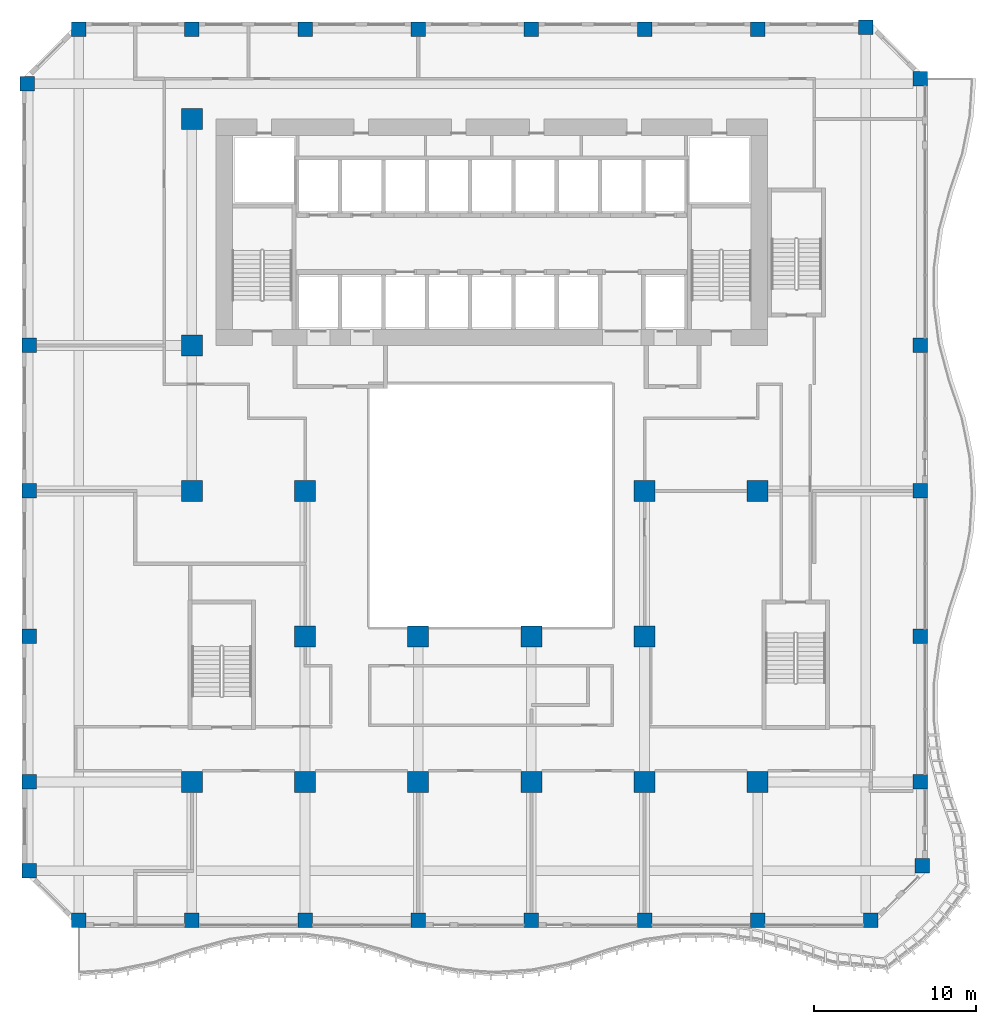
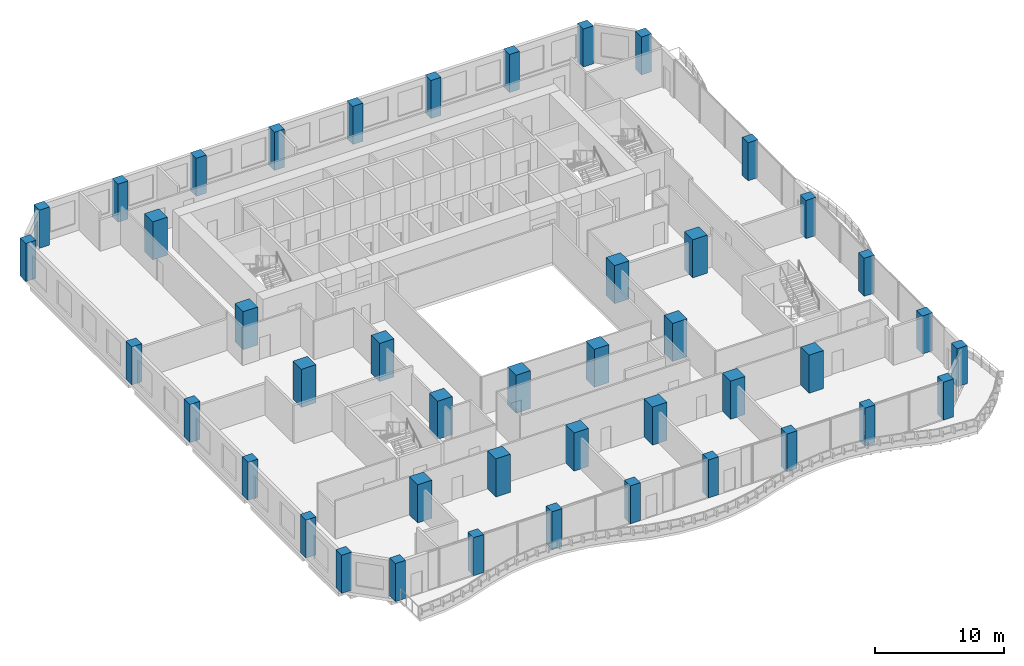
# One storey, part 1 of 23: 44 columns.
"""IFC4 building model written with IfcOpenShell, lengths in metres."""

from ifc_helpers import new_model, si_unit, direction, frame, origin, origin_2d, place, context, subcontext, project, spatial, rectangle, extrude, source, transform, mapped, material, material_profile, profile_set, type_object, element, save


model = new_model("IFC4")

# Units and contexts
model_context = context("Model", 3, precision=1e-05, world=origin(), true_north=direction((0.0, 1.0)))
body_context = subcontext(model_context, "Body", "Model", "MODEL_VIEW")
ifc_project = project(units=[si_unit("LENGTHUNIT", "METRE"), si_unit("AREAUNIT", "SQUARE_METRE"), si_unit("VOLUMEUNIT", "CUBIC_METRE"), si_unit("PLANEANGLEUNIT", "RADIAN"), si_unit("MASSUNIT", "GRAM", prefix="KILO")], contexts=[model_context])

# Site, building, storey
site_placement = place(None, origin())
site = spatial("IfcSite", under=ifc_project, at=site_placement, CompositionType="ELEMENT")
building_placement = place(site_placement, origin())
building = spatial("IfcBuilding", under=site, at=building_placement, Name="Kilnfold Tower and Market Hall", CompositionType="ELEMENT")
storey_placement = place(building_placement, frame((0.0, 0.0, 55.0)))
storey = spatial("IfcBuildingStorey", under=building, at=storey_placement, Name="L12", CompositionType="ELEMENT", Elevation=55.0)

# Columns
ifc_material_1 = material(Name="Concrete C80", Category="concrete")
ifc_material_profile_1 = material_profile(ifc_material_1, rectangle(XDim=0.89990234375, YDim=0.89990234375, at=origin_2d()), Name="RC 900x900")
ifc_profile_set_1 = profile_set([ifc_material_profile_1], Name="Concrete C80")
column_type_1 = type_object("IfcColumnType", Name="COLUMN 900X900 C80", PredefinedType="COLUMN", material=ifc_profile_set_1)
shared_shape_1 = source(origin(), body_context, "Body", "SweptSolid", [
    extrude(rectangle(XDim=0.89990234375, YDim=0.89990234375, at=origin_2d()), origin(), (0.0, 0.0, 1.0), 3.60009765625),
])
for number, where, z_axis, x_axis, name in (
    (1, (-27.681884765625, 24.181884765625, 0.0), (0.0, 0.0, 1.0), (1.0, 0.0, 0.0), "Column C-B1-1H"),
    (2, (-27.550048828125, -24.5, 0.0), (0.0, 0.0, 1.0), (1.0, 0.0, 0.0), "Column C-B1-1B"),
    (3, (-27.550048828125, -19.0, 0.0), (0.0, 0.0, 1.0), (1.0, 0.0, 0.0), "Column C-B1-1C"),
    (4, (-27.550048828125, -10.0, 0.0), (0.0, 0.0, 1.0), (1.0, 0.0, 0.0), "Column C-B1-1D"),
    (5, (-27.550048828125, -1.0, 0.0), (0.0, 0.0, 1.0), (1.0, 0.0, 0.0), "Column C-B1-1E"),
    (6, (-27.550048828125, 8.0, 0.0), (0.0, 0.0, 1.0), (1.0, 0.0, 0.0), "Column C-B1-1F"),
    (7, (-24.5, -27.550048828125, 0.0), (0.0, 0.0, 1.0), (1.0, 0.0, 0.0), "Column C-B1-2A"),
    (8, (-24.5, 27.550048828125, 0.0), (0.0, 0.0, 1.0), (1.0, 0.0, 0.0), "Column C-B1-2I"),
    (9, (-17.5, -27.550048828125, 0.0), (0.0, 0.0, 1.0), (1.0, 0.0, 0.0), "Column C-B1-3A"),
    (10, (-17.5, 27.550048828125, 0.0), (0.0, 0.0, 1.0), (1.0, 0.0, 0.0), "Column C-B1-3I"),
    (11, (-10.5, -27.550048828125, 0.0), (0.0, 0.0, 1.0), (1.0, 0.0, 0.0), "Column C-B1-4A"),
    (12, (-10.5, 27.550048828125, 0.0), (0.0, 0.0, 1.0), (1.0, 0.0, 0.0), "Column C-B1-4I"),
    (13, (-3.5, -27.550048828125, 0.0), (0.0, 0.0, 1.0), (1.0, 0.0, 0.0), "Column C-B1-5A"),
    (14, (-3.5, 27.550048828125, 0.0), (0.0, 0.0, 1.0), (1.0, 0.0, 0.0), "Column C-B1-5I"),
    (15, (3.5, -27.550048828125, 0.0), (0.0, 0.0, 1.0), (1.0, 0.0, 0.0), "Column C-B1-6A"),
    (16, (3.5, 27.550048828125, 0.0), (0.0, 0.0, 1.0), (1.0, 0.0, 0.0), "Column C-B1-6I"),
    (17, (10.5, -27.550048828125, 0.0), (0.0, 0.0, 1.0), (1.0, 0.0, 0.0), "Column C-B1-7A"),
    (18, (10.5, 27.550048828125, 0.0), (0.0, 0.0, 1.0), (1.0, 0.0, 0.0), "Column C-B1-7I"),
    (19, (17.5, -27.550048828125, 0.0), (0.0, 0.0, 1.0), (1.0, 0.0, 0.0), "Column C-B1-8A"),
    (20, (17.5, 27.550048828125, 0.0), (0.0, 0.0, 1.0), (1.0, 0.0, 0.0), "Column C-B1-8I"),
    (21, (24.181884765625, 27.681884765625, 0.0), (0.0, 0.0, 1.0), (1.0, 0.0, 0.0), "Column C-B1-9I"),
    (22, (24.5, -27.550048828125, 0.0), (0.0, 0.0, 1.0), (1.0, 0.0, 0.0), "Column C-B1-9A"),
    (23, (27.550048828125, -19.0, 0.0), (0.0, 0.0, 1.0), (1.0, 0.0, 0.0), "Column C-B1-10C"),
    (24, (27.550048828125, -10.0, 0.0), (0.0, 0.0, 1.0), (1.0, 0.0, 0.0), "Column C-B1-10D"),
    (25, (27.550048828125, -1.0, 0.0), (0.0, 0.0, 1.0), (1.0, 0.0, 0.0), "Column C-B1-10E"),
    (26, (27.550048828125, 8.0, 0.0), (0.0, 0.0, 1.0), (1.0, 0.0, 0.0), "Column C-B1-10F"),
    (27, (27.550048828125, 24.5, 0.0), (0.0, 0.0, 1.0), (1.0, 0.0, 0.0), "Column C-B1-10H"),
    (28, (27.681884765625, -24.181884765625, 0.0), (0.0, 0.0, 1.0), (1.0, 0.0, 0.0), "Column C-B1-10B"),
):
    element("IfcColumn", number, at=place(storey_placement, frame(where, z_axis=z_axis, x_axis=x_axis)), inside=storey, type_object=column_type_1, Name=name, PredefinedType="COLUMN", context=body_context, shape_type="MappedRepresentation", body=[
        mapped(shared_shape_1, transform((0.0, 0.0, 0.0))),
    ])
ifc_material_2 = material(Name="Concrete C80", Category="concrete")
ifc_material_profile_2 = material_profile(ifc_material_2, rectangle(XDim=1.300048828125, YDim=1.300048828125, at=origin_2d()), Name="RC 1300x1300")
ifc_profile_set_2 = profile_set([ifc_material_profile_2], Name="Concrete C80")
column_type_2 = type_object("IfcColumnType", Name="COLUMN 1300X1300 C80", PredefinedType="COLUMN", material=ifc_profile_set_2)
shared_shape_2 = source(origin(), body_context, "Body", "SweptSolid", [
    extrude(rectangle(XDim=1.300048828125, YDim=1.300048828125, at=origin_2d()), origin(), (0.0, 0.0, 1.0), 3.60009765625),
])
for number, where, z_axis, x_axis, name in (
    (29, (-17.5, -19.0, 0.0), (0.0, 0.0, 1.0), (1.0, 0.0, 0.0), "Column C-B1-3C"),
    (30, (-17.5, -1.0, 0.0), (0.0, 0.0, 1.0), (1.0, 0.0, 0.0), "Column C-B1-3E"),
    (31, (-17.5, 8.0, 0.0), (0.0, 0.0, 1.0), (1.0, 0.0, 0.0), "Column C-B1-3F"),
    (32, (-17.5, 22.0, 0.0), (0.0, 0.0, 1.0), (1.0, 0.0, 0.0), "Column C-B1-3G"),
    (33, (-10.5, -19.0, 0.0), (0.0, 0.0, 1.0), (1.0, 0.0, 0.0), "Column C-B1-4C"),
    (34, (-10.5, -10.0, 0.0), (0.0, 0.0, 1.0), (1.0, 0.0, 0.0), "Column C-B1-4D"),
    (35, (-10.5, -1.0, 0.0), (0.0, 0.0, 1.0), (1.0, 0.0, 0.0), "Column C-B1-4E"),
    (36, (-3.5, -19.0, 0.0), (0.0, 0.0, 1.0), (1.0, 0.0, 0.0), "Column C-B1-5C"),
    (37, (-3.5, -10.0, 0.0), (0.0, 0.0, 1.0), (1.0, 0.0, 0.0), "Column C-B1-5D"),
    (38, (3.5, -19.0, 0.0), (0.0, 0.0, 1.0), (1.0, 0.0, 0.0), "Column C-B1-6C"),
    (39, (3.5, -10.0, 0.0), (0.0, 0.0, 1.0), (1.0, 0.0, 0.0), "Column C-B1-6D"),
    (40, (10.5, -19.0, 0.0), (0.0, 0.0, 1.0), (1.0, 0.0, 0.0), "Column C-B1-7C"),
    (41, (10.5, -10.0, 0.0), (0.0, 0.0, 1.0), (1.0, 0.0, 0.0), "Column C-B1-7D"),
    (42, (10.5, -1.0, 0.0), (0.0, 0.0, 1.0), (1.0, 0.0, 0.0), "Column C-B1-7E"),
    (43, (17.5, -19.0, 0.0), (0.0, 0.0, 1.0), (1.0, 0.0, 0.0), "Column C-B1-8C"),
    (44, (17.5, -1.0, 0.0), (0.0, 0.0, 1.0), (1.0, 0.0, 0.0), "Column C-B1-8E"),
):
    element("IfcColumn", number, at=place(storey_placement, frame(where, z_axis=z_axis, x_axis=x_axis)), inside=storey, type_object=column_type_2, Name=name, PredefinedType="COLUMN", context=body_context, shape_type="MappedRepresentation", body=[
        mapped(shared_shape_2, transform((0.0, 0.0, 0.0))),
    ])

save(model, "model.ifc")
